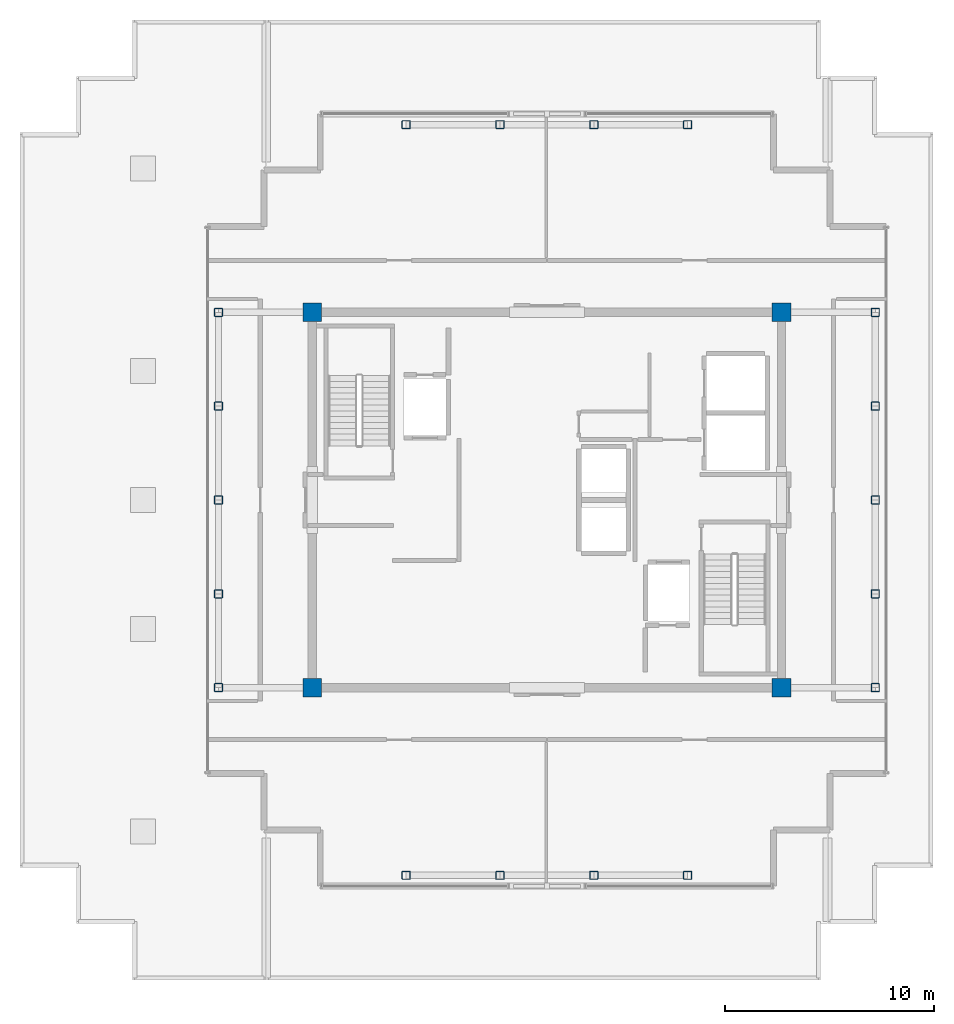
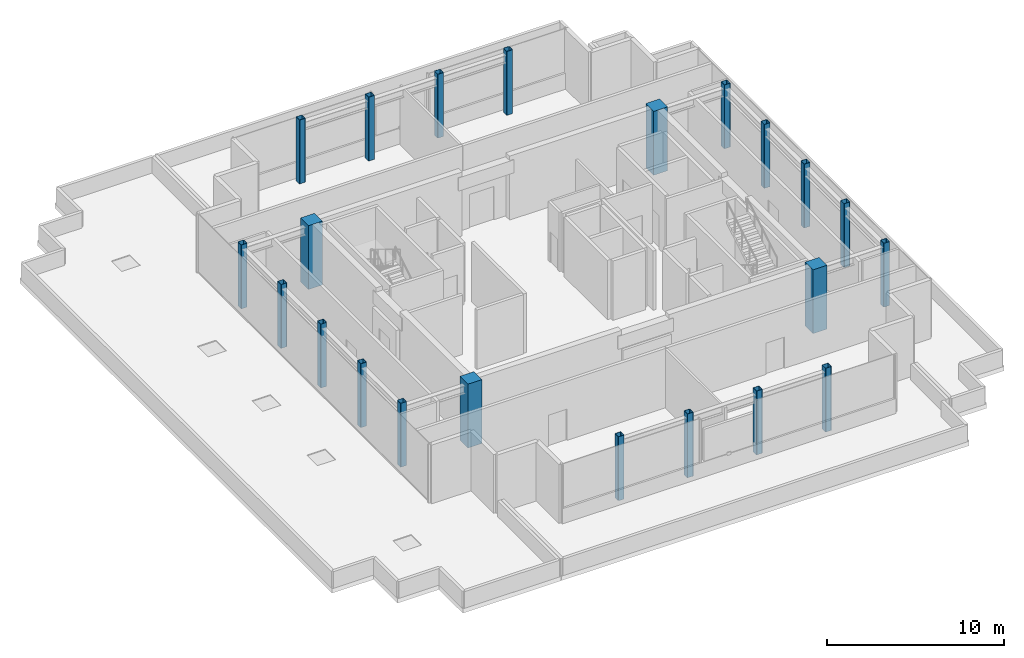
# One storey, part 1 of 14: 22 columns.
"""IFC4 building model written with IfcOpenShell, lengths in metres."""

from ifc_helpers import new_model, si_unit, direction, frame, origin, origin_2d, place, context, subcontext, project, spatial, rectangle, hollow_rectangle, extrude, source, transform, mapped, material, material_profile, profile_set, type_object, element, save


model = new_model("IFC4")

# Units and contexts
model_context = context("Model", 3, precision=1e-05, world=origin(), true_north=direction((0.0, 1.0)))
body_context = subcontext(model_context, "Body", "Model", "MODEL_VIEW")
ifc_project = project(units=[si_unit("LENGTHUNIT", "METRE"), si_unit("AREAUNIT", "SQUARE_METRE"), si_unit("VOLUMEUNIT", "CUBIC_METRE"), si_unit("PLANEANGLEUNIT", "RADIAN"), si_unit("MASSUNIT", "GRAM", prefix="KILO")], contexts=[model_context])

# Site, building, storey
site_placement = place(None, origin())
site = spatial("IfcSite", under=ifc_project, at=site_placement, CompositionType="ELEMENT")
building_placement = place(site_placement, origin())
building = spatial("IfcBuilding", under=site, at=building_placement, Name="Nefas-Gora Pilgrimage Tower", CompositionType="ELEMENT")
storey_placement = place(building_placement, frame((0.0, 0.0, 358.60009765625)))
storey = spatial("IfcBuildingStorey", under=building, at=storey_placement, Name="L90", CompositionType="ELEMENT", Elevation=358.60009765625)

# Columns
ifc_material_1 = material(Name="Steel S355", Category="steel")
ifc_material_profile_1 = material_profile(ifc_material_1, hollow_rectangle(XDim=0.39990234375, YDim=0.39990234375, WallThickness=0.02001953125, InnerFilletRadius=0.02001953125, OuterFilletRadius=0.0400390625, at=origin_2d()), Name="SHS 400x400x20")
ifc_profile_set_1 = profile_set([ifc_material_profile_1], Name="Steel S355")
column_type_1 = type_object("IfcColumnType", Name="COL-TUBE-400", PredefinedType="COLUMN", material=ifc_profile_set_1)
shared_shape_1 = source(origin(), body_context, "Body", "SweptSolid", [
    extrude(hollow_rectangle(XDim=0.39990234375, YDim=0.39990234375, WallThickness=0.02001953125, InnerFilletRadius=0.02001953125, OuterFilletRadius=0.0400390625, at=origin_2d()), origin(), (0.0, 0.0, 1.0), 4.39990234375),
])
for number, where, z_axis, x_axis, name in (
    (1, (-15.75, -9.0, 0.0), (0.0, 0.0, 1.0), (1.0, 0.0, 0.0), "L90 Tower Column C-Z5.1"),
    (2, (-15.75, -4.5, 0.0), (0.0, 0.0, 1.0), (1.0, 0.0, 0.0), "L90 Tower Column C-Z5.2"),
    (3, (-15.75, 0.0, 0.0), (0.0, 0.0, 1.0), (1.0, 0.0, 0.0), "L90 Tower Column C-Z5.3"),
    (4, (-15.75, 4.5, 0.0), (0.0, 0.0, 1.0), (1.0, 0.0, 0.0), "L90 Tower Column C-Z5.4"),
    (5, (-15.75, 9.0, 0.0), (0.0, 0.0, 1.0), (1.0, 0.0, 0.0), "L90 Tower Column C-Z5.5"),
    (6, (-6.75, -18.0, 0.0), (0.0, 0.0, 1.0), (1.0, 0.0, 0.0), "L90 Tower Column C-Z5.8"),
    (7, (-6.75, 18.0, 0.0), (0.0, 0.0, 1.0), (1.0, 0.0, 0.0), "L90 Tower Column C-Z5.9"),
    (8, (-2.25, -18.0, 0.0), (0.0, 0.0, 1.0), (1.0, 0.0, 0.0), "L90 Tower Column C-Z5.10"),
    (9, (-2.25, 18.0, 0.0), (0.0, 0.0, 1.0), (1.0, 0.0, 0.0), "L90 Tower Column C-Z5.11"),
    (10, (2.25, -18.0, 0.0), (0.0, 0.0, 1.0), (1.0, 0.0, 0.0), "L90 Tower Column C-Z5.12"),
    (11, (2.25, 18.0, 0.0), (0.0, 0.0, 1.0), (1.0, 0.0, 0.0), "L90 Tower Column C-Z5.13"),
    (12, (6.75, -18.0, 0.0), (0.0, 0.0, 1.0), (1.0, 0.0, 0.0), "L90 Tower Column C-Z5.14"),
    (13, (6.75, 18.0, 0.0), (0.0, 0.0, 1.0), (1.0, 0.0, 0.0), "L90 Tower Column C-Z5.15"),
    (14, (15.75, -9.0, 0.0), (0.0, 0.0, 1.0), (1.0, 0.0, 0.0), "L90 Tower Column C-Z5.18"),
    (15, (15.75, -4.5, 0.0), (0.0, 0.0, 1.0), (1.0, 0.0, 0.0), "L90 Tower Column C-Z5.19"),
    (16, (15.75, 0.0, 0.0), (0.0, 0.0, 1.0), (1.0, 0.0, 0.0), "L90 Tower Column C-Z5.20"),
    (17, (15.75, 4.5, 0.0), (0.0, 0.0, 1.0), (1.0, 0.0, 0.0), "L90 Tower Column C-Z5.21"),
    (18, (15.75, 9.0, 0.0), (0.0, 0.0, 1.0), (1.0, 0.0, 0.0), "L90 Tower Column C-Z5.22"),
):
    element("IfcColumn", number, at=place(storey_placement, frame(where, z_axis=z_axis, x_axis=x_axis)), inside=storey, type_object=column_type_1, Name=name, PredefinedType="COLUMN", context=body_context, shape_type="MappedRepresentation", body=[
        mapped(shared_shape_1, transform((0.0, 0.0, 0.0), x_axis=(1.0, 0.0, 0.0), y_axis=(0.0, 1.0, 0.0), z_axis=(0.0, 0.0, 1.0), scale=1.0)),
    ])
ifc_material_2 = material(Name="Concrete C50/60", Category="concrete")
ifc_material_profile_2 = material_profile(ifc_material_2, rectangle(XDim=0.89990234375, YDim=0.89990234375, at=origin_2d()), Name="RC 900x900")
ifc_profile_set_2 = profile_set([ifc_material_profile_2], Name="Concrete C50/60")
column_type_2 = type_object("IfcColumnType", Name="COL-RC-900", PredefinedType="COLUMN", material=ifc_profile_set_2)
shared_shape_2 = source(origin(), body_context, "Body", "SweptSolid", [
    extrude(rectangle(XDim=0.89990234375, YDim=0.89990234375, at=origin_2d()), origin(), (0.0, 0.0, 1.0), 4.39990234375),
])
for number, where, z_axis, x_axis, name in (
    (19, (-11.25, -9.0, 0.0), (0.0, 0.0, 1.0), (1.0, 0.0, 0.0), "L90 Tower Column CRC-02.6"),
    (20, (-11.25, 9.0, 0.0), (0.0, 0.0, 1.0), (1.0, 0.0, 0.0), "L90 Tower Column CRC-02.7"),
    (21, (11.25, -9.0, 0.0), (0.0, 0.0, 1.0), (1.0, 0.0, 0.0), "L90 Tower Column CRC-02.16"),
    (22, (11.25, 9.0, 0.0), (0.0, 0.0, 1.0), (1.0, 0.0, 0.0), "L90 Tower Column CRC-02.17"),
):
    element("IfcColumn", number, at=place(storey_placement, frame(where, z_axis=z_axis, x_axis=x_axis)), inside=storey, type_object=column_type_2, Name=name, PredefinedType="COLUMN", context=body_context, shape_type="MappedRepresentation", body=[
        mapped(shared_shape_2, transform((0.0, 0.0, 0.0), x_axis=(1.0, 0.0, 0.0), y_axis=(0.0, 1.0, 0.0), z_axis=(0.0, 0.0, 1.0), scale=1.0)),
    ])

save(model, "model.ifc")
